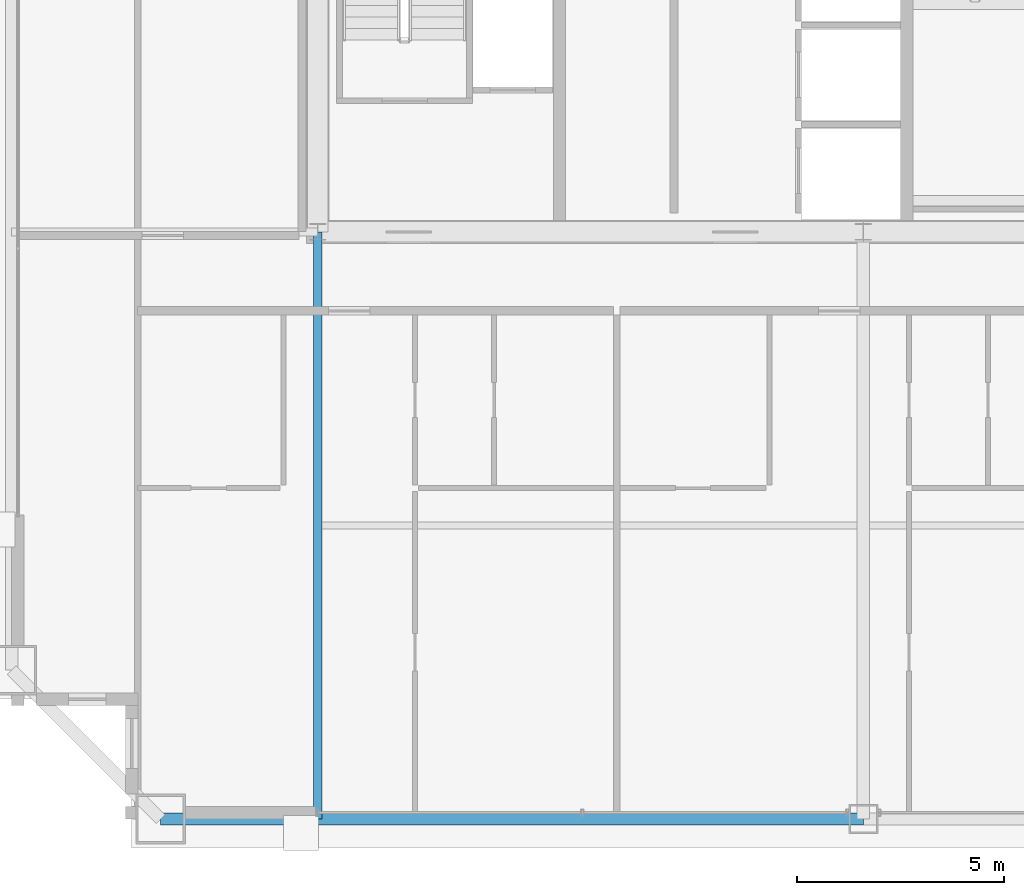
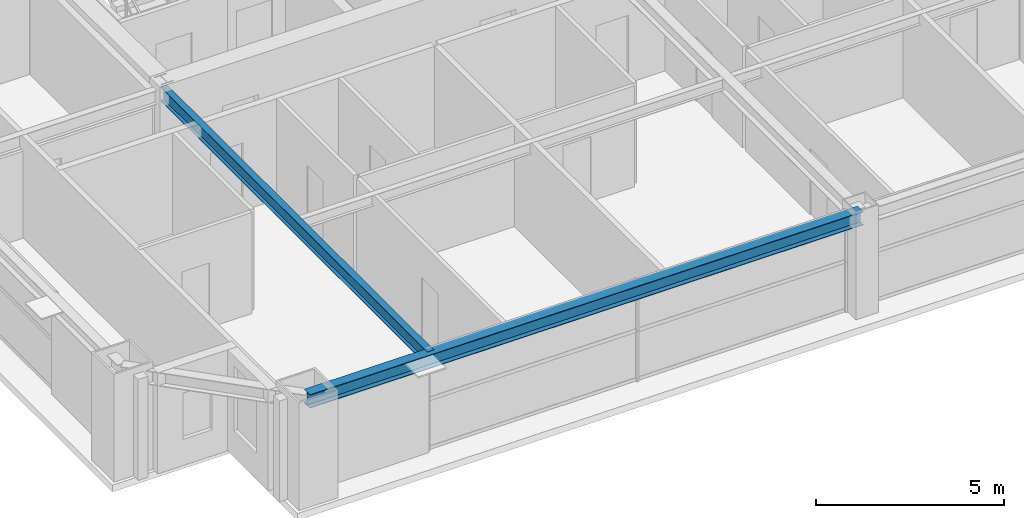
# One storey, part 4 of 37: 2 beams.
"""IFC4 building model written with IfcOpenShell, lengths in metres."""

from ifc_helpers import new_model, si_unit, direction, frame, origin, origin_2d, place, context, subcontext, project, spatial, i_section, extrude, source, transform, mapped, material, material_profile, profile_set, type_object, element, save


model = new_model("IFC4")

# Units and contexts
model_context = context("Model", 3, precision=1e-05, world=origin(), true_north=direction((0.0, 1.0)))
body_context = subcontext(model_context, "Body", "Model", "MODEL_VIEW")
ifc_project = project(units=[si_unit("LENGTHUNIT", "METRE"), si_unit("AREAUNIT", "SQUARE_METRE"), si_unit("VOLUMEUNIT", "CUBIC_METRE"), si_unit("PLANEANGLEUNIT", "RADIAN"), si_unit("MASSUNIT", "GRAM", prefix="KILO"), si_unit("THERMODYNAMICTEMPERATUREUNIT", "KELVIN"), si_unit("POWERUNIT", "WATT")], contexts=[model_context])

# Site, building, storey
site_placement = place(None, origin())
site = spatial("IfcSite", under=ifc_project, at=site_placement, CompositionType="ELEMENT")
building_placement = place(site_placement, origin())
building = spatial("IfcBuilding", under=site, at=building_placement, Name="Yuzanri Waterfront Tower", CompositionType="ELEMENT")
storey_placement = place(building_placement, frame((0.0, 0.0, 252.10009765625)))
storey = spatial("IfcBuildingStorey", under=building, at=storey_placement, Name="L67", CompositionType="ELEMENT", Elevation=252.10009765625)

# Beams
ifc_material_1 = material(Name="Steel Q355B", Category="steel")
ifc_material_profile_1 = material_profile(ifc_material_1, i_section(OverallWidth=0.300048828125, OverallDepth=0.43994140625, WebThickness=0.010986328125, FlangeThickness=0.01806640625, at=origin_2d()), Name="HM 440x300x11x18")
ifc_profile_set_1 = profile_set([ifc_material_profile_1], Name="Steel Q355B")
beam_type_1 = type_object("IfcBeamType", Name="Perimeter Spandrel Q355B HM 440x300", PredefinedType="SPANDREL", material=ifc_profile_set_1)
shared_shape_1 = source(origin(), body_context, "Body", "SweptSolid", [
    extrude(i_section(OverallWidth=0.300048828125, OverallDepth=0.43994140625, WebThickness=0.010986328125, FlangeThickness=0.01806640625, at=origin_2d()), origin(), (0.0, 0.0, 1.0), 17.0),
])
beam_1_placement = place(storey_placement, frame((20.0, 5.199951171875, 3.059814453125), z_axis=(1.0, 0.0, 0.0), x_axis=(0.0, 1.0, 0.0)))
element("IfcBeam", 1, at=beam_1_placement, inside=storey, type_object=beam_type_1, Name="L67 Perimeter Spandrel S1-S2", PredefinedType="SPANDREL", context=body_context, shape_type="MappedRepresentation", body=[
    mapped(shared_shape_1, transform((0.0, 0.0, 0.0), scale=1.0)),
])
ifc_material_2 = material(Name="Steel Q355B", Category="steel")
ifc_material_profile_2 = material_profile(ifc_material_2, i_section(OverallWidth=0.199951171875, OverallDepth=0.449951171875, WebThickness=0.009033203125, FlangeThickness=0.013916015625, at=origin_2d()), Name="HN 450x200x9x14")
ifc_profile_set_2 = profile_set([ifc_material_profile_2], Name="Steel Q355B")
beam_type_2 = type_object("IfcBeamType", Name="Secondary Floor Beam Q355B HN 450x200", PredefinedType="BEAM", material=ifc_profile_set_2)
shared_shape_2 = source(origin(), body_context, "Body", "SweptSolid", [
    extrude(i_section(OverallWidth=0.199951171875, OverallDepth=0.449951171875, WebThickness=0.009033203125, FlangeThickness=0.013916015625, at=origin_2d()), origin(), (0.0, 0.0, 1.0), 14.199951171875),
])
beam_2_placement = place(storey_placement, frame((23.800048828125, 19.39990234375, 3.054931640625), z_axis=(0.0, -1.0, 0.0), x_axis=(1.0, 0.0, 0.0)))
element("IfcBeam", 2, at=beam_2_placement, inside=storey, type_object=beam_type_2, Name="L67 South-West Core Line Beam", PredefinedType="BEAM", context=body_context, shape_type="MappedRepresentation", body=[
    mapped(shared_shape_2, transform((0.0, 0.0, 0.0), scale=1.0)),
])

save(model, "model.ifc")
